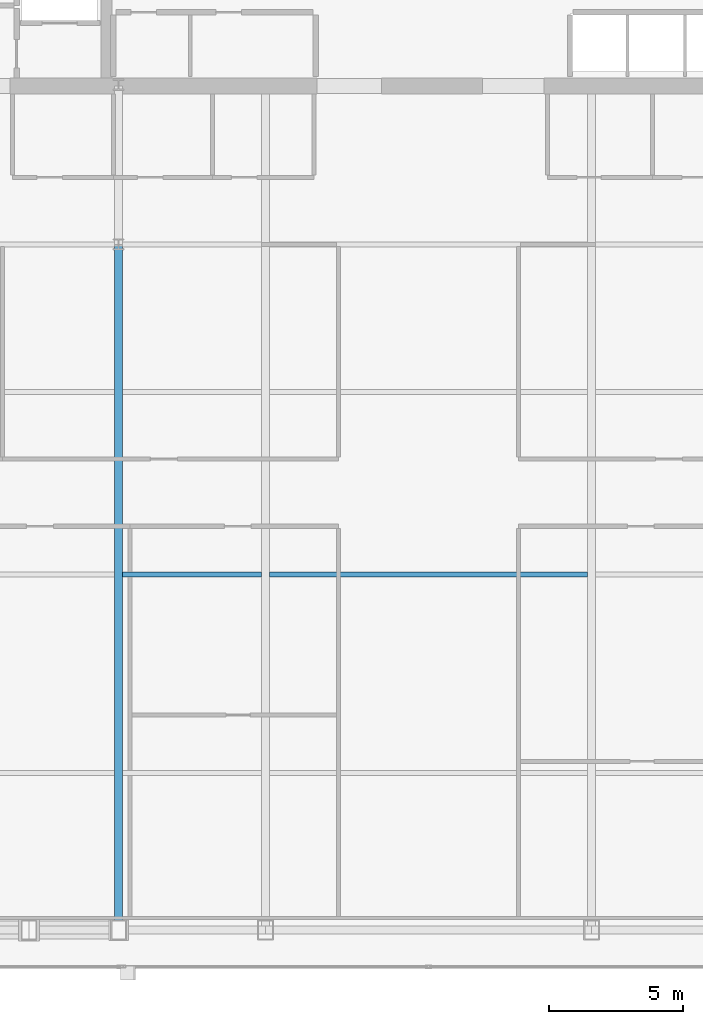
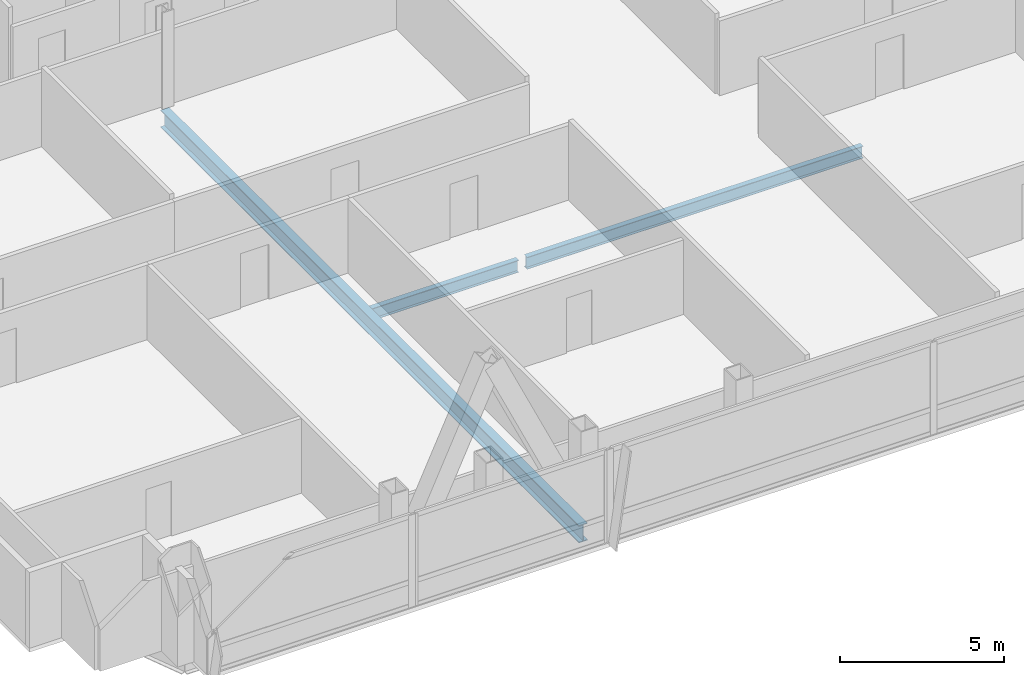
# One storey, part 9 of 32: 3 beams.
"""IFC4 building model written with IfcOpenShell, lengths in metres."""

from ifc_helpers import new_model, si_unit, direction, frame, origin, origin_2d, place, context, subcontext, project, spatial, i_section, extrude, material, material_profile, profile_set, type_object, element, save


model = new_model("IFC4")

# Units and contexts
model_context = context("Model", 3, precision=1e-05, world=origin(), true_north=direction((0.0, 1.0)))
body_context = subcontext(model_context, "Body", "Model", "MODEL_VIEW")
ifc_project = project(units=[si_unit("LENGTHUNIT", "METRE"), si_unit("AREAUNIT", "SQUARE_METRE"), si_unit("VOLUMEUNIT", "CUBIC_METRE"), si_unit("PLANEANGLEUNIT", "RADIAN"), si_unit("MASSUNIT", "GRAM", prefix="KILO")], contexts=[model_context])

# Site, building, storey
site_placement = place(None, origin())
site = spatial("IfcSite", under=ifc_project, at=site_placement, CompositionType="ELEMENT")
building_placement = place(site_placement, origin())
building = spatial("IfcBuilding", under=site, at=building_placement, Name="Khoronbel Lancet Exchange", CompositionType="ELEMENT")
storey_placement = place(building_placement, frame((0.0, 0.0, 231.800048828125)))
storey = spatial("IfcBuildingStorey", under=building, at=storey_placement, Name="L59", CompositionType="ELEMENT", Elevation=231.800048828125)

# Beams
ifc_material = material(Name="Steel S355", Category="steel")
ifc_material_profile_1 = material_profile(ifc_material, i_section(OverallWidth=0.300048828125, OverallDepth=0.64990234375, WebThickness=0.01611328125, FlangeThickness=0.031005859375, at=origin_2d()), Name="HEB 650")
ifc_profile_set_1 = profile_set([ifc_material_profile_1], Name="Steel S355")
beam_type_1 = type_object("IfcBeamType", Name="BM-BG4", PredefinedType="BEAM", material=ifc_profile_set_1)
beam_1_placement = place(storey_placement, frame((24.89990234375, 10.14990234375, -0.485107421875), z_axis=(0.0, 1.0, 0.0), x_axis=(-1.0, 0.0, 0.0)))
element("IfcBeam", 1, at=beam_1_placement, inside=storey, type_object=beam_type_1, Name="Level L59 south primary girder GS2", PredefinedType="BEAM", context=body_context, shape_type="SweptSolid", body=[
    extrude(i_section(OverallWidth=0.300048828125, OverallDepth=0.64990234375, WebThickness=0.01611328125, FlangeThickness=0.031005859375, at=origin_2d()), origin(), (0.0, 0.0, 1.0), 25.550048828125),
])
ifc_material_profile_2 = material_profile(ifc_material, i_section(OverallWidth=0.18994140625, OverallDepth=0.449951171875, WebThickness=0.009521484375, FlangeThickness=0.0146484375, at=origin_2d()), Name="IPE 450")
ifc_profile_set_2 = profile_set([ifc_material_profile_2], Name="Steel S355")
beam_type_2 = type_object("IfcBeamType", Name="BM-BJ4", PredefinedType="JOIST", material=ifc_profile_set_2)
beam_2_placement = place(storey_placement, frame((25.050048828125, 23.39990234375, -0.385009765625), z_axis=(1.0, 0.0, 0.0), x_axis=(0.0, 1.0, 0.0)))
element("IfcBeam", 2, at=beam_2_placement, inside=storey, type_object=beam_type_2, Name="Level L59 secondary composite joist J07", PredefinedType="JOIST", context=body_context, shape_type="SweptSolid", body=[
    extrude(i_section(OverallWidth=0.18994140625, OverallDepth=0.449951171875, WebThickness=0.009521484375, FlangeThickness=0.0146484375, at=origin_2d()), origin(), (0.0, 0.0, 1.0), 5.175048828125),
])
beam_3_placement = place(storey_placement, frame((30.52490234375, 23.39990234375, -0.385009765625), z_axis=(1.0, 0.0, 0.0), x_axis=(0.0, 1.0, 0.0)))
element("IfcBeam", 3, at=beam_3_placement, inside=storey, type_object=beam_type_2, Name="Level L59 secondary composite joist J08", PredefinedType="JOIST", context=body_context, shape_type="SweptSolid", body=[
    extrude(i_section(OverallWidth=0.18994140625, OverallDepth=0.449951171875, WebThickness=0.009521484375, FlangeThickness=0.0146484375, at=origin_2d()), origin(), (0.0, 0.0, 1.0), 11.85009765625),
])

save(model, "model.ifc")
